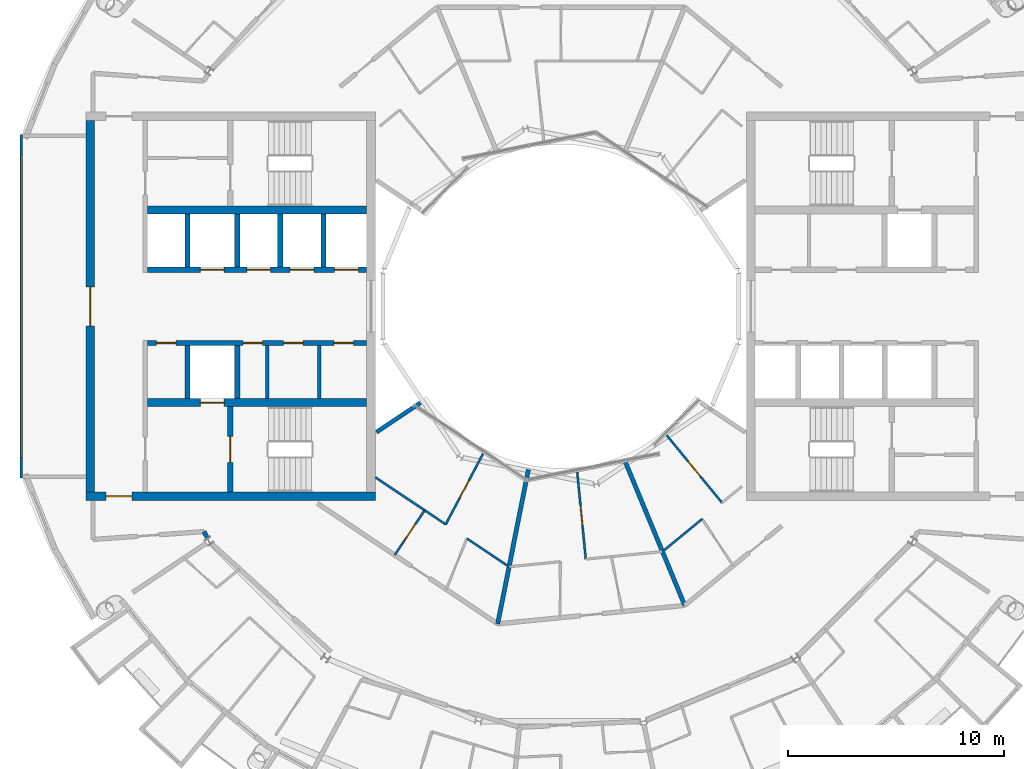
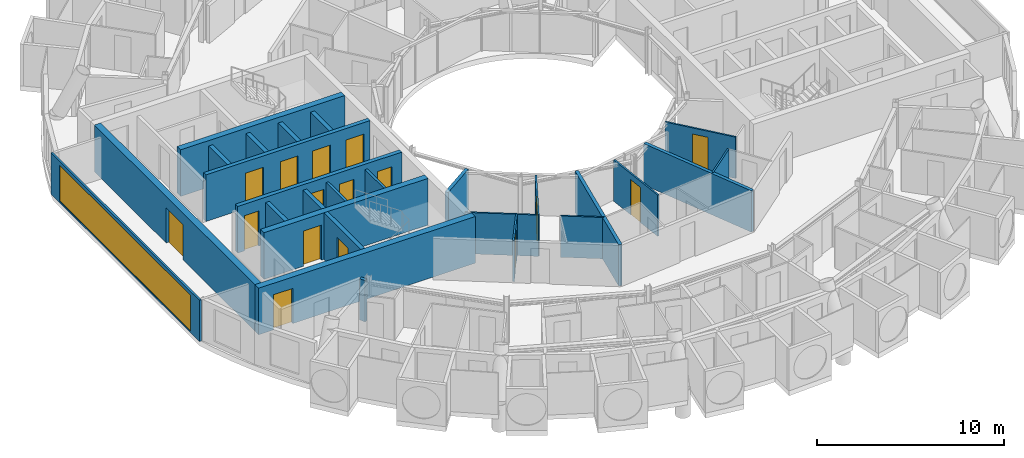
# One storey, part 16 of 27: 27 walls, 16 doors, 1 window, 17 openings.
"""IFC4 building model written with IfcOpenShell, lengths in metres."""

from ifc_helpers import new_model, si_unit, direction, frame, frame_2d, origin, place, context, subcontext, project, spatial, rectangle, extrude, material, layer, layer_set, type_object, element, fill, save


model = new_model("IFC4")

# Units and contexts
model_context = context("Model", 3, precision=1e-05, world=origin(), true_north=direction((0.0, 1.0)))
body_context = subcontext(model_context, "Body", "Model", "MODEL_VIEW")
ifc_project = project(units=[si_unit("LENGTHUNIT", "METRE"), si_unit("AREAUNIT", "SQUARE_METRE"), si_unit("VOLUMEUNIT", "CUBIC_METRE"), si_unit("PLANEANGLEUNIT", "RADIAN"), si_unit("MASSUNIT", "GRAM", prefix="KILO")], contexts=[model_context])

# Site, building, storey
site_placement = place(None, origin())
site = spatial("IfcSite", under=ifc_project, at=site_placement, CompositionType="ELEMENT")
building_placement = place(site_placement, origin())
building = spatial("IfcBuilding", under=site, at=building_placement, Name="Maasbend Ring Residences", CompositionType="ELEMENT")
storey_placement = place(building_placement, frame((0.0, 0.0, 243.199951171875)))
storey = spatial("IfcBuildingStorey", under=building, at=storey_placement, Name="L70", CompositionType="ELEMENT", Elevation=243.199951171875)

# Wall, openings, doors
ifc_material_1 = material(Name="Concrete C50/60", Category="concrete")
ifc_layer_1 = layer(ifc_material_1, 0.25)
ifc_layer_set_1 = layer_set([ifc_layer_1], Name="Concrete C50/60")
wall_type_1 = type_object("IfcWallType", Name="CORE WALL 250 C50/60", PredefinedType="SHEAR", material=ifc_layer_set_1)
wall_1_placement = place(storey_placement, frame((-9.0, -1.699951171875, 0.0), z_axis=(0.0, 0.0, 1.0), x_axis=(-1.0, 0.0, 0.0)))
wall_1 = element("IfcWall", 1, at=wall_1_placement, inside=storey, type_object=wall_type_1, Name="L70 core W wall SPN", PredefinedType="SHEAR", context=body_context, shape_type="SweptSolid", body=[
    extrude(rectangle(XDim=10.14990234375, YDim=0.25, at=frame_2d((5.074951171875, 0.0))), origin(), (0.0, 0.0, 1.0), 3.050048828125),
])
opening_1_placement = place(wall_1_placement, frame((0.612548828125, 0.0, 0.0)))
opening_1 = element("IfcOpeningElement", 2, at=opening_1_placement, cuts=wall_1, Name="Opening D-W7006", PredefinedType="OPENING", context=body_context, shape_type="SweptSolid", body=[
    extrude(rectangle(XDim=0.89990234375, YDim=2.300048828125, at=frame_2d((0.449951171875, 1.14990234375))), frame((0.0, 0.135009765625, 0.0), z_axis=(0.0, -1.0, 0.0), x_axis=(1.0, 0.0, 0.0)), (0.0, 0.0, 1.0), 0.27001953125),
])
opening_2_placement = place(wall_1_placement, frame((2.949951171875, 0.0, 0.0)))
opening_2 = element("IfcOpeningElement", 3, at=opening_2_placement, cuts=wall_1, Name="Opening D-W7007", PredefinedType="OPENING", context=body_context, shape_type="SweptSolid", body=[
    extrude(rectangle(XDim=0.89990234375, YDim=2.300048828125, at=frame_2d((0.449951171875, 1.14990234375))), frame((0.0, 0.135009765625, 0.0), z_axis=(0.0, -1.0, 0.0), x_axis=(1.0, 0.0, 0.0)), (0.0, 0.0, 1.0), 0.27001953125),
])
opening_3_placement = place(wall_1_placement, frame((4.824951171875, 0.0, 0.0)))
opening_3 = element("IfcOpeningElement", 4, at=opening_3_placement, cuts=wall_1, Name="Opening D-W7008", PredefinedType="OPENING", context=body_context, shape_type="SweptSolid", body=[
    extrude(rectangle(XDim=0.89990234375, YDim=2.300048828125, at=frame_2d((0.449951171875, 1.14990234375))), frame((0.0, 0.135009765625, 0.0), z_axis=(0.0, -1.0, 0.0), x_axis=(1.0, 0.0, 0.0)), (0.0, 0.0, 1.0), 0.27001953125),
])
opening_4_placement = place(wall_1_placement, frame((8.83740234375, 0.0, 0.0)))
opening_4 = element("IfcOpeningElement", 5, at=opening_4_placement, cuts=wall_1, Name="Opening D-W7009", PredefinedType="OPENING", context=body_context, shape_type="SweptSolid", body=[
    extrude(rectangle(XDim=0.89990234375, YDim=2.300048828125, at=frame_2d((0.449951171875, 1.14990234375))), frame((0.0, 0.135009765625, 0.0), z_axis=(0.0, -1.0, 0.0), x_axis=(1.0, 0.0, 0.0)), (0.0, 0.0, 1.0), 0.27001953125),
])
ifc_material_2 = material(Name="Steel, powder coated", Category="steel")
door_type_1 = type_object("IfcDoorType", Name="ROOM DOOR 900 X 2300 FD30S", OperationType="NOTDEFINED", PredefinedType="DOOR", material=ifc_material_2)
door_1_placement = place(opening_1_placement, origin())
door_1 = element("IfcDoor", 6, at=door_1_placement, inside=storey, type_object=door_type_1, Name="Room door L70", OperationType="SINGLE_SWING_RIGHT", OverallHeight=2.300048828125, OverallWidth=0.89990234375, PredefinedType="DOOR", context=body_context, shape_type="SweptSolid", body=[
    extrude(rectangle(XDim=0.89990234375, YDim=2.300048828125, at=frame_2d((0.449951171875, 1.14990234375))), frame((0.0, 0.02490234375, 0.0), z_axis=(0.0, -1.0, 0.0), x_axis=(1.0, 0.0, 0.0)), (0.0, 0.0, 1.0), 0.050048828125),
])
fill(opening_1, door_1)
door_2_placement = place(opening_2_placement, origin())
door_2 = element("IfcDoor", 7, at=door_2_placement, inside=storey, type_object=door_type_1, Name="Room door L70", OperationType="SINGLE_SWING_RIGHT", OverallHeight=2.300048828125, OverallWidth=0.89990234375, PredefinedType="DOOR", context=body_context, shape_type="SweptSolid", body=[
    extrude(rectangle(XDim=0.89990234375, YDim=2.300048828125, at=frame_2d((0.449951171875, 1.14990234375))), frame((0.0, 0.02490234375, 0.0), z_axis=(0.0, -1.0, 0.0), x_axis=(1.0, 0.0, 0.0)), (0.0, 0.0, 1.0), 0.050048828125),
])
fill(opening_2, door_2)
door_3_placement = place(opening_3_placement, origin())
door_3 = element("IfcDoor", 8, at=door_3_placement, inside=storey, type_object=door_type_1, Name="Room door L70", OperationType="SINGLE_SWING_LEFT", OverallHeight=2.300048828125, OverallWidth=0.89990234375, PredefinedType="DOOR", context=body_context, shape_type="SweptSolid", body=[
    extrude(rectangle(XDim=0.89990234375, YDim=2.300048828125, at=frame_2d((0.449951171875, 1.14990234375))), frame((0.0, 0.02490234375, 0.0), z_axis=(0.0, -1.0, 0.0), x_axis=(1.0, 0.0, 0.0)), (0.0, 0.0, 1.0), 0.050048828125),
])
fill(opening_3, door_3)
door_4_placement = place(opening_4_placement, origin())
door_4 = element("IfcDoor", 9, at=door_4_placement, inside=storey, type_object=door_type_1, Name="Room door L70", OperationType="SINGLE_SWING_LEFT", OverallHeight=2.300048828125, OverallWidth=0.89990234375, PredefinedType="DOOR", context=body_context, shape_type="SweptSolid", body=[
    extrude(rectangle(XDim=0.89990234375, YDim=2.300048828125, at=frame_2d((0.449951171875, 1.14990234375))), frame((0.0, 0.02490234375, 0.0), z_axis=(0.0, -1.0, 0.0), x_axis=(1.0, 0.0, 0.0)), (0.0, 0.0, 1.0), 0.050048828125),
])
fill(opening_4, door_4)

# Wall, opening, door
wall_2_placement = place(storey_placement, frame((-15.324951171875, -4.64990234375, 0.0), z_axis=(0.0, 0.0, 1.0), x_axis=(0.0, -1.0, 0.0)))
wall_2 = element("IfcWall", 10, at=wall_2_placement, inside=storey, type_object=wall_type_1, Name="L70 core W wall STEN", PredefinedType="SHEAR", context=body_context, shape_type="SweptSolid", body=[
    extrude(rectangle(XDim=3.9501953125, YDim=0.25, at=frame_2d((1.97509765625, 0.0))), origin(), (0.0, 0.0, 1.0), 3.050048828125),
])
opening_5_placement = place(wall_2_placement, frame((1.375, 0.0, 0.0)))
opening_5 = element("IfcOpeningElement", 11, at=opening_5_placement, cuts=wall_2, Name="Opening D-W7011", PredefinedType="OPENING", context=body_context, shape_type="SweptSolid", body=[
    extrude(rectangle(XDim=1.199951171875, YDim=2.300048828125, at=frame_2d((0.60009765625, 1.14990234375))), frame((0.0, 0.135009765625, 0.0), z_axis=(0.0, -1.0, 0.0), x_axis=(1.0, 0.0, 0.0)), (0.0, 0.0, 1.0), 0.27001953125),
])
ifc_material_3 = material(Name="Steel, powder coated", Category="steel")
door_type_2 = type_object("IfcDoorType", Name="STAIR DOOR 1200 X 2300 FD60", OperationType="NOTDEFINED", PredefinedType="DOOR", material=ifc_material_3)
door_5_placement = place(opening_5_placement, origin())
door_5 = element("IfcDoor", 12, at=door_5_placement, inside=storey, type_object=door_type_2, Name="Stair door ST-W L70", OperationType="SINGLE_SWING_LEFT", OverallHeight=2.300048828125, OverallWidth=1.199951171875, PredefinedType="DOOR", context=body_context, shape_type="SweptSolid", body=[
    extrude(rectangle(XDim=1.199951171875, YDim=2.300048828125, at=frame_2d((0.60009765625, 1.14990234375))), frame((0.0, 0.02490234375, 0.0), z_axis=(0.0, -1.0, 0.0), x_axis=(1.0, 0.0, 0.0)), (0.0, 0.0, 1.0), 0.050048828125),
])
fill(opening_5, door_5)

# Wall, openings, doors
wall_3_placement = place(storey_placement, frame((-9.0, 1.699951171875, 0.0), z_axis=(0.0, 0.0, 1.0), x_axis=(-1.0, 0.0, 0.0)))
wall_3 = element("IfcWall", 13, at=wall_3_placement, inside=storey, type_object=wall_type_1, Name="L70 core W wall SPS", PredefinedType="SHEAR", context=body_context, shape_type="SweptSolid", body=[
    extrude(rectangle(XDim=10.14990234375, YDim=0.25, at=frame_2d((5.074951171875, 0.0))), origin(), (0.0, 0.0, 1.0), 3.050048828125),
])
opening_6_placement = place(wall_3_placement, frame((0.387451171875, 0.0, 0.0)))
opening_6 = element("IfcOpeningElement", 14, at=opening_6_placement, cuts=wall_3, Name="Opening LD-W7002", PredefinedType="OPENING", context=body_context, shape_type="SweptSolid", body=[
    extrude(rectangle(XDim=1.10009765625, YDim=2.300048828125, at=frame_2d((0.550048828125, 1.14990234375))), frame((0.0, 0.135009765625, 0.0), z_axis=(0.0, -1.0, 0.0), x_axis=(1.0, 0.0, 0.0)), (0.0, 0.0, 1.0), 0.27001953125),
])
opening_7_placement = place(wall_3_placement, frame((2.449951171875, 0.0, 0.0)))
opening_7 = element("IfcOpeningElement", 15, at=opening_7_placement, cuts=wall_3, Name="Opening LD-W7003", PredefinedType="OPENING", context=body_context, shape_type="SweptSolid", body=[
    extrude(rectangle(XDim=1.10009765625, YDim=2.300048828125, at=frame_2d((0.550048828125, 1.14990234375))), frame((0.0, 0.135009765625, 0.0), z_axis=(0.0, -1.0, 0.0), x_axis=(1.0, 0.0, 0.0)), (0.0, 0.0, 1.0), 0.27001953125),
])
opening_8_placement = place(wall_3_placement, frame((4.449951171875, 0.0, 0.0)))
opening_8 = element("IfcOpeningElement", 16, at=opening_8_placement, cuts=wall_3, Name="Opening LD-W7004", PredefinedType="OPENING", context=body_context, shape_type="SweptSolid", body=[
    extrude(rectangle(XDim=1.10009765625, YDim=2.300048828125, at=frame_2d((0.550048828125, 1.14990234375))), frame((0.0, 0.135009765625, 0.0), z_axis=(0.0, -1.0, 0.0), x_axis=(1.0, 0.0, 0.0)), (0.0, 0.0, 1.0), 0.27001953125),
])
opening_9_placement = place(wall_3_placement, frame((6.60009765625, 0.0, 0.0)))
opening_9 = element("IfcOpeningElement", 17, at=opening_9_placement, cuts=wall_3, Name="Opening LD-W7005", PredefinedType="OPENING", context=body_context, shape_type="SweptSolid", body=[
    extrude(rectangle(XDim=1.10009765625, YDim=2.300048828125, at=frame_2d((0.550048828125, 1.14990234375))), frame((0.0, 0.135009765625, 0.0), z_axis=(0.0, -1.0, 0.0), x_axis=(1.0, 0.0, 0.0)), (0.0, 0.0, 1.0), 0.27001953125),
])
ifc_material_4 = material(Name="Stainless steel 316", Category="steel")
door_type_3 = type_object("IfcDoorType", Name="LANDING DOOR 1100 X 2300 FD60", OperationType="DOUBLE_DOOR_SLIDING", PredefinedType="DOOR", material=ifc_material_4)
door_6_placement = place(opening_6_placement, origin())
door_6 = element("IfcDoor", 18, at=door_6_placement, inside=storey, type_object=door_type_3, Name="Landing door HR-W1 L70", OperationType="DOUBLE_DOOR_SLIDING", OverallHeight=2.300048828125, OverallWidth=1.10009765625, PredefinedType="DOOR", context=body_context, shape_type="SweptSolid", body=[
    extrude(rectangle(XDim=1.10009765625, YDim=2.300048828125, at=frame_2d((0.550048828125, 1.14990234375))), frame((0.0, 0.02490234375, 0.0), z_axis=(0.0, -1.0, 0.0), x_axis=(1.0, 0.0, 0.0)), (0.0, 0.0, 1.0), 0.050048828125),
])
fill(opening_6, door_6)
door_7_placement = place(opening_7_placement, origin())
door_7 = element("IfcDoor", 19, at=door_7_placement, inside=storey, type_object=door_type_3, Name="Landing door HR-W2 L70", OperationType="DOUBLE_DOOR_SLIDING", OverallHeight=2.300048828125, OverallWidth=1.10009765625, PredefinedType="DOOR", context=body_context, shape_type="SweptSolid", body=[
    extrude(rectangle(XDim=1.10009765625, YDim=2.300048828125, at=frame_2d((0.550048828125, 1.14990234375))), frame((0.0, 0.02490234375, 0.0), z_axis=(0.0, -1.0, 0.0), x_axis=(1.0, 0.0, 0.0)), (0.0, 0.0, 1.0), 0.050048828125),
])
fill(opening_7, door_7)
door_8_placement = place(opening_8_placement, origin())
door_8 = element("IfcDoor", 20, at=door_8_placement, inside=storey, type_object=door_type_3, Name="Landing door HR-W3 L70", OperationType="DOUBLE_DOOR_SLIDING", OverallHeight=2.300048828125, OverallWidth=1.10009765625, PredefinedType="DOOR", context=body_context, shape_type="SweptSolid", body=[
    extrude(rectangle(XDim=1.10009765625, YDim=2.300048828125, at=frame_2d((0.550048828125, 1.14990234375))), frame((0.0, 0.02490234375, 0.0), z_axis=(0.0, -1.0, 0.0), x_axis=(1.0, 0.0, 0.0)), (0.0, 0.0, 1.0), 0.050048828125),
])
fill(opening_8, door_8)
door_9_placement = place(opening_9_placement, origin())
door_9 = element("IfcDoor", 21, at=door_9_placement, inside=storey, type_object=door_type_3, Name="Landing door SV-W L70", OperationType="DOUBLE_DOOR_SLIDING", OverallHeight=2.300048828125, OverallWidth=1.10009765625, PredefinedType="DOOR", context=body_context, shape_type="SweptSolid", body=[
    extrude(rectangle(XDim=1.10009765625, YDim=2.300048828125, at=frame_2d((0.550048828125, 1.14990234375))), frame((0.0, 0.02490234375, 0.0), z_axis=(0.0, -1.0, 0.0), x_axis=(1.0, 0.0, 0.0)), (0.0, 0.0, 1.0), 0.050048828125),
])
fill(opening_9, door_9)

# Wall, opening, door
ifc_material_5 = material(Name="Concrete C50/60", Category="concrete")
ifc_layer_2 = layer(ifc_material_5, 0.375)
ifc_layer_set_2 = layer_set([ifc_layer_2], Name="Concrete C50/60")
wall_type_2 = type_object("IfcWallType", Name="CORE WALL 375 C50/60", PredefinedType="SHEAR", material=ifc_layer_set_2)
wall_4_placement = place(storey_placement, frame((-9.0, -4.46240234375, 0.0), z_axis=(0.0, 0.0, 1.0), x_axis=(-1.0, 0.0, 0.0)))
wall_4 = element("IfcWall", 22, at=wall_4_placement, inside=storey, type_object=wall_type_2, Name="L70 core W wall BN", PredefinedType="SHEAR", context=body_context, shape_type="SweptSolid", body=[
    extrude(rectangle(XDim=10.14990234375, YDim=0.375, at=frame_2d((5.074951171875, 0.0))), origin(), (0.0, 0.0, 1.0), 3.050048828125),
])
opening_10_placement = place(wall_4_placement, frame((6.60009765625, 0.0, 0.0)))
opening_10 = element("IfcOpeningElement", 23, at=opening_10_placement, cuts=wall_4, Name="Opening LD-W7001", PredefinedType="OPENING", context=body_context, shape_type="SweptSolid", body=[
    extrude(rectangle(XDim=1.10009765625, YDim=2.300048828125, at=frame_2d((0.550048828125, 1.14990234375))), frame((0.0, 0.197509765625, 0.0), z_axis=(0.0, -1.0, 0.0), x_axis=(1.0, 0.0, 0.0)), (0.0, 0.0, 1.0), 0.39501953125),
])
door_10_placement = place(opening_10_placement, origin())
door_10 = element("IfcDoor", 24, at=door_10_placement, inside=storey, type_object=door_type_3, Name="Landing door FF-W L70", OperationType="DOUBLE_DOOR_SLIDING", OverallHeight=2.300048828125, OverallWidth=1.10009765625, PredefinedType="DOOR", context=body_context, shape_type="SweptSolid", body=[
    extrude(rectangle(XDim=1.10009765625, YDim=2.300048828125, at=frame_2d((0.550048828125, 1.14990234375))), frame((0.0, 0.02490234375, 0.0), z_axis=(0.0, -1.0, 0.0), x_axis=(1.0, 0.0, 0.0)), (0.0, 0.0, 1.0), 0.050048828125),
])
fill(opening_10, door_10)

# Wall
wall_5_placement = place(storey_placement, frame((-9.0, 4.46240234375, 0.0), z_axis=(0.0, 0.0, 1.0), x_axis=(-1.0, 0.0, 0.0)))
element("IfcWall", 25, at=wall_5_placement, inside=storey, type_object=wall_type_2, Name="L70 core W wall BS", PredefinedType="SHEAR", context=body_context, shape_type="SweptSolid", body=[
    extrude(rectangle(XDim=10.14990234375, YDim=0.375, at=frame_2d((5.074951171875, 0.0))), origin(), (0.0, 0.0, 1.0), 3.050048828125),
])

# Wall, opening, door
ifc_material_6 = material(Name="Concrete C50/60", Category="concrete")
ifc_layer_3 = layer(ifc_material_6, 0.39990234375)
ifc_layer_set_3 = layer_set([ifc_layer_3], Name="Concrete C50/60")
wall_type_3 = type_object("IfcWallType", Name="CORE WALL 400 C50/60", PredefinedType="SHEAR", material=ifc_layer_set_3)
wall_6_placement = place(storey_placement, frame((-22.0, -8.800048828125, 0.0), z_axis=(0.0, 0.0, 1.0), x_axis=(1.0, 0.0, 0.0)))
wall_6 = element("IfcWall", 26, at=wall_6_placement, inside=storey, type_object=wall_type_3, Name="L70 core W wall PN", PredefinedType="SHEAR", context=body_context, shape_type="SweptSolid", body=[
    extrude(rectangle(XDim=13.39990234375, YDim=0.39990234375, at=frame_2d((6.699951171875, 0.0))), origin(), (0.0, 0.0, 1.0), 3.050048828125),
])
opening_11_placement = place(wall_6_placement, frame((0.925048828125, 0.0, 0.0)))
opening_11 = element("IfcOpeningElement", 27, at=opening_11_placement, cuts=wall_6, Name="Opening D-W7015", PredefinedType="OPENING", context=body_context, shape_type="SweptSolid", body=[
    extrude(rectangle(XDim=1.199951171875, YDim=2.300048828125, at=frame_2d((0.60009765625, 1.14990234375))), frame((0.0, 0.2099609375, 0.0), z_axis=(0.0, -1.0, 0.0), x_axis=(1.0, 0.0, 0.0)), (0.0, 0.0, 1.0), 0.419921875),
])
ifc_material_7 = material(Name="Steel, powder coated", Category="steel")
door_type_4 = type_object("IfcDoorType", Name="CORRIDOR DOOR 1200 X 2300 FD30S", OperationType="NOTDEFINED", PredefinedType="DOOR", material=ifc_material_7)
door_11_placement = place(opening_11_placement, origin())
door_11 = element("IfcDoor", 28, at=door_11_placement, inside=storey, type_object=door_type_4, Name="Corridor door L70", OperationType="SINGLE_SWING_RIGHT", OverallHeight=2.300048828125, OverallWidth=1.199951171875, PredefinedType="DOOR", context=body_context, shape_type="SweptSolid", body=[
    extrude(rectangle(XDim=1.199951171875, YDim=2.300048828125, at=frame_2d((0.60009765625, 1.14990234375))), frame((0.0, 0.02490234375, 0.0), z_axis=(0.0, -1.0, 0.0), x_axis=(1.0, 0.0, 0.0)), (0.0, 0.0, 1.0), 0.050048828125),
])
fill(opening_11, door_11)

wall_7_placement = place(storey_placement, frame((-21.800048828125, -8.60009765625, 0.0), z_axis=(0.0, 0.0, 1.0), x_axis=(0.0, 1.0, 0.0)))
wall_7 = element("IfcWall", 29, at=wall_7_placement, inside=storey, type_object=wall_type_3, Name="L70 core W wall POUT", PredefinedType="SHEAR", context=body_context, shape_type="SweptSolid", body=[
    extrude(rectangle(XDim=17.2001953125, YDim=0.39990234375, at=frame_2d((8.60009765625, 0.0))), origin(), (0.0, 0.0, 1.0), 3.050048828125),
])
opening_12_placement = place(wall_7_placement, frame((7.699951171875, 0.0, 0.0)))
opening_12 = element("IfcOpeningElement", 30, at=opening_12_placement, cuts=wall_7, Name="Opening D-W7017", PredefinedType="OPENING", context=body_context, shape_type="SweptSolid", body=[
    extrude(rectangle(XDim=1.800048828125, YDim=2.300048828125, at=frame_2d((0.89990234375, 1.14990234375))), frame((0.0, 0.2099609375, 0.0), z_axis=(0.0, -1.0, 0.0), x_axis=(1.0, 0.0, 0.0)), (0.0, 0.0, 1.0), 0.419921875),
])
ifc_material_8 = material(Name="Aluminium frame, clear glass", Category="aluminium")
door_type_5 = type_object("IfcDoorType", Name="ENTRANCE DOOR 1800 X 2300 FD60", OperationType="NOTDEFINED", PredefinedType="DOOR", material=ifc_material_8)
door_12_placement = place(opening_12_placement, origin())
door_12 = element("IfcDoor", 31, at=door_12_placement, inside=storey, type_object=door_type_5, Name="Lobby glazed door L70", OperationType="SINGLE_SWING_LEFT", OverallHeight=2.300048828125, OverallWidth=1.800048828125, PredefinedType="DOOR", context=body_context, shape_type="SweptSolid", body=[
    extrude(rectangle(XDim=1.800048828125, YDim=2.300048828125, at=frame_2d((0.89990234375, 1.14990234375))), frame((0.0, 0.02490234375, 0.0), z_axis=(0.0, -1.0, 0.0), x_axis=(1.0, 0.0, 0.0)), (0.0, 0.0, 1.0), 0.050048828125),
])
fill(opening_12, door_12)

# Wall
ifc_material_9 = material(Name="Concrete C30/37", Category="concrete")
ifc_layer_4 = layer(ifc_material_9, 0.199951171875)
ifc_layer_set_4 = layer_set([ifc_layer_4], Name="Concrete C30/37")
wall_type_4 = type_object("IfcWallType", Name="CORRIDOR WALL 200 CONCRETE", PredefinedType="PARTITIONING", material=ifc_layer_set_4)
wall_8_placement = place(storey_placement, frame((-16.534912109375, -10.43701171875, 0.0), z_axis=(0.0, 0.0, 1.0), x_axis=(0.465802239822, -0.884888848035, 0.0)))
element("IfcWall", 32, at=wall_8_placement, inside=storey, type_object=wall_type_4, Name="U-L70-w013", PredefinedType="PARTITIONING", context=body_context, shape_type="SweptSolid", body=[
    extrude(rectangle(XDim=0.360595703125, YDim=0.199951171875, at=frame_2d((0.18017578125, 0.0))), origin(), (0.0, 0.0, 1.0), 2.699951171875),
])

# Wall, opening, window
ifc_material_10 = material(Name="Aluminium frame and clear glass", Category="aluminium")
ifc_layer_5 = layer(ifc_material_10, 0.1201171875)
ifc_layer_set_5 = layer_set([ifc_layer_5], Name="GLAZED SCREEN WALL 120 EI 60")
wall_type_5 = type_object("IfcWallType", Name="GLAZED SCREEN WALL 120 EI 60", PredefinedType="PARTITIONING", material=ifc_layer_set_5)
wall_9_placement = place(storey_placement, frame((-25.0, 7.949951171875, 0.0), z_axis=(0.0, 0.0, 1.0), x_axis=(0.0, -1.0, 0.0)))
wall_9 = element("IfcWall", 33, at=wall_9_placement, inside=storey, type_object=wall_type_5, Name="L70 core W wall FACE", PredefinedType="PARTITIONING", context=body_context, shape_type="SweptSolid", body=[
    extrude(rectangle(XDim=15.89990234375, YDim=0.1201171875, at=frame_2d((7.949951171875, 0.0))), origin(), (0.0, 0.0, 1.0), 2.699951171875),
])
opening_13_placement = place(wall_9_placement, frame((0.949951171875, 0.0, 0.10009765625)))
opening_13 = element("IfcOpeningElement", 34, at=opening_13_placement, cuts=wall_9, Name="Opening W-W7002", PredefinedType="OPENING", context=body_context, shape_type="SweptSolid", body=[
    extrude(rectangle(XDim=14.0, YDim=2.35009765625, at=frame_2d((7.0, 1.175048828125))), frame((0.0, 0.070068359375, 0.0), z_axis=(0.0, -1.0, 0.0), x_axis=(1.0, 0.0, 0.0)), (0.0, 0.0, 1.0), 0.14013671875),
])
ifc_material_11 = material(Name="Aluminium frame and clear glass", Category="aluminium")
window_type = type_object("IfcWindowType", Name="FIXED WINDOW 14000 X 2350", PartitioningType="SINGLE_PANEL", PredefinedType="WINDOW", material=ifc_material_11)
window_placement = place(opening_13_placement, origin())
window = element("IfcWindow", 35, at=window_placement, inside=storey, type_object=window_type, Name="Lobby window L70", OverallHeight=2.35009765625, OverallWidth=14.0, PartitioningType="SINGLE_PANEL", PredefinedType="WINDOW", context=body_context, shape_type="SweptSolid", body=[
    extrude(rectangle(XDim=14.0, YDim=2.35009765625, at=frame_2d((7.0, 1.175048828125))), frame((0.0, 0.030029296875, 0.0), z_axis=(0.0, -1.0, 0.0), x_axis=(1.0, 0.0, 0.0)), (0.0, 0.0, 1.0), 0.06005859375),
])
fill(opening_13, window)

# Walls
ifc_material_12 = material(Name="Gypsum board on steel studs", Category="steel")
ifc_layer_6 = layer(ifc_material_12, 0.10009765625)
ifc_layer_set_6 = layer_set([ifc_layer_6], Name="PARTITION 100 GYPSUM")
wall_type_6 = type_object("IfcWallType", Name="PARTITION 100 GYPSUM", PredefinedType="PARTITIONING", material=ifc_layer_set_6)
wall_10_placement = place(storey_placement, frame((4.70703125, -11.364013671875, 0.0), z_axis=(0.0, 0.0, 1.0), x_axis=(0.773033390712, 0.634365333893, 0.0)))
element("IfcWall", 36, at=wall_10_placement, inside=storey, type_object=wall_type_6, Name="U-L70-w025", PredefinedType="PARTITIONING", context=body_context, shape_type="SweptSolid", body=[
    extrude(rectangle(XDim=2.38037109375, YDim=0.10009765625, at=frame_2d((1.190185546875, 0.0))), origin(), (0.0, 0.0, 1.0), 2.699951171875),
])
wall_11_placement = place(storey_placement, frame((-8.60107421875, -7.919921875, 0.0), z_axis=(0.0, 0.0, 1.0), x_axis=(0.83141852367, -0.555646684953, 0.0)))
element("IfcWall", 37, at=wall_11_placement, inside=storey, type_object=wall_type_6, Name="U-L70-w027", PredefinedType="PARTITIONING", context=body_context, shape_type="SweptSolid", body=[
    extrude(rectangle(XDim=3.92724609375, YDim=0.10009765625, at=frame_2d((1.963623046875, 0.0))), origin(), (0.0, 0.0, 1.0), 2.699951171875),
])
wall_12_placement = place(storey_placement, frame((-4.35205078125, -10.759033203125, 0.0), z_axis=(0.0, 0.0, 1.0), x_axis=(0.8314910529, -0.555538143557, 0.0)))
element("IfcWall", 38, at=wall_12_placement, inside=storey, type_object=wall_type_6, Name="U-L70-w028", PredefinedType="PARTITIONING", context=body_context, shape_type="SweptSolid", body=[
    extrude(rectangle(XDim=2.3525390625, YDim=0.10009765625, at=frame_2d((1.17626953125, 0.0))), origin(), (0.0, 0.0, 1.0), 2.699951171875),
])

# Wall, opening, door
wall_13_placement = place(storey_placement, frame((-7.698974609375, -11.52294921875, 0.0), z_axis=(0.0, 0.0, 1.0), x_axis=(0.555625883274, 0.831432425297, 0.0)))
wall_13 = element("IfcWall", 39, at=wall_13_placement, inside=storey, type_object=wall_type_6, Name="U-L70-w048", PredefinedType="PARTITIONING", context=body_context, shape_type="SweptSolid", body=[
    extrude(rectangle(XDim=2.494384765625, YDim=0.10009765625, at=frame_2d((1.2470703125, 0.0))), origin(), (0.0, 0.0, 1.0), 2.699951171875),
])
opening_14_placement = place(wall_13_placement, frame((0.797119140625, 0.0, 0.0)))
opening_14 = element("IfcOpeningElement", 40, at=opening_14_placement, cuts=wall_13, Name="Opening D-7054", PredefinedType="OPENING", context=body_context, shape_type="SweptSolid", body=[
    extrude(rectangle(XDim=0.89990234375, YDim=2.300048828125, at=frame_2d((0.449951171875, 1.14990234375))), frame((0.0, 0.06005859375, 0.0), z_axis=(0.0, -1.0, 0.0), x_axis=(1.0, 0.0, 0.0)), (0.0, 0.0, 1.0), 0.1201171875),
])
ifc_material_13 = material(Name="Timber, painted", Category="wood")
door_type_6 = type_object("IfcDoorType", Name="INTERNAL DOOR 900 X 2300", OperationType="NOTDEFINED", PredefinedType="DOOR", material=ifc_material_13)
door_13_placement = place(opening_14_placement, origin())
door_13 = element("IfcDoor", 41, at=door_13_placement, inside=storey, type_object=door_type_6, Name="D-7054", OperationType="SINGLE_SWING_LEFT", OverallHeight=2.300048828125, OverallWidth=0.89990234375, PredefinedType="DOOR", context=body_context, shape_type="SweptSolid", body=[
    extrude(rectangle(XDim=0.89990234375, YDim=2.300048828125, at=frame_2d((0.449951171875, 1.14990234375))), frame((0.0, 0.02490234375, 0.0), z_axis=(0.0, -1.0, 0.0), x_axis=(1.0, 0.0, 0.0)), (0.0, 0.0, 1.0), 0.050048828125),
])
fill(opening_14, door_13)

wall_14_placement = place(storey_placement, frame((-5.3349609375, -10.10205078125, 0.0), z_axis=(0.0, 0.0, 1.0), x_axis=(0.467060750716, 0.88422522874, 0.0)))
wall_14 = element("IfcWall", 42, at=wall_14_placement, inside=storey, type_object=wall_type_6, Name="U-L70-w053", PredefinedType="PARTITIONING", context=body_context, shape_type="SweptSolid", body=[
    extrude(rectangle(XDim=3.703857421875, YDim=0.10009765625, at=frame_2d((1.85205078125, 0.0))), origin(), (0.0, 0.0, 1.0), 2.699951171875),
])
opening_15_placement = place(wall_14_placement, frame((1.402099609375, 0.0, 0.0)))
opening_15 = element("IfcOpeningElement", 43, at=opening_15_placement, cuts=wall_14, Name="Opening D-7055", PredefinedType="OPENING", context=body_context, shape_type="SweptSolid", body=[
    extrude(rectangle(XDim=0.89990234375, YDim=2.300048828125, at=frame_2d((0.449951171875, 1.14990234375))), frame((0.0, 0.06005859375, 0.0), z_axis=(0.0, -1.0, 0.0), x_axis=(1.0, 0.0, 0.0)), (0.0, 0.0, 1.0), 0.1201171875),
])
door_14_placement = place(opening_15_placement, origin())
door_14 = element("IfcDoor", 44, at=door_14_placement, inside=storey, type_object=door_type_6, Name="D-7055", OperationType="SINGLE_SWING_RIGHT", OverallHeight=2.300048828125, OverallWidth=0.89990234375, PredefinedType="DOOR", context=body_context, shape_type="SweptSolid", body=[
    extrude(rectangle(XDim=0.89990234375, YDim=2.300048828125, at=frame_2d((0.449951171875, 1.14990234375))), frame((0.0, 0.02490234375, 0.0), z_axis=(0.0, -1.0, 0.0), x_axis=(1.0, 0.0, 0.0)), (0.0, 0.0, 1.0), 0.050048828125),
])
fill(opening_15, door_14)

wall_15_placement = place(storey_placement, frame((0.757080078125, -7.68310546875, 0.0), z_axis=(0.0, 0.0, 1.0), x_axis=(0.098005705092, -0.995185852878, 0.0)))
wall_15 = element("IfcWall", 45, at=wall_15_placement, inside=storey, type_object=wall_type_6, Name="U-L70-w065", PredefinedType="PARTITIONING", context=body_context, shape_type="SweptSolid", body=[
    extrude(rectangle(XDim=4.050537109375, YDim=0.10009765625, at=frame_2d((2.025390625, 0.0))), origin(), (0.0, 0.0, 1.0), 2.699951171875),
])
opening_16_placement = place(wall_15_placement, frame((1.574951171875, 0.0, 0.0)))
opening_16 = element("IfcOpeningElement", 46, at=opening_16_placement, cuts=wall_15, Name="Opening D-7059", PredefinedType="OPENING", context=body_context, shape_type="SweptSolid", body=[
    extrude(rectangle(XDim=0.89990234375, YDim=2.300048828125, at=frame_2d((0.449951171875, 1.14990234375))), frame((0.0, 0.06005859375, 0.0), z_axis=(0.0, -1.0, 0.0), x_axis=(1.0, 0.0, 0.0)), (0.0, 0.0, 1.0), 0.1201171875),
])
door_15_placement = place(opening_16_placement, origin())
door_15 = element("IfcDoor", 47, at=door_15_placement, inside=storey, type_object=door_type_6, Name="D-7059", OperationType="SINGLE_SWING_RIGHT", OverallHeight=2.300048828125, OverallWidth=0.89990234375, PredefinedType="DOOR", context=body_context, shape_type="SweptSolid", body=[
    extrude(rectangle(XDim=0.89990234375, YDim=2.300048828125, at=frame_2d((0.449951171875, 1.14990234375))), frame((0.0, 0.02490234375, 0.0), z_axis=(0.0, -1.0, 0.0), x_axis=(1.0, 0.0, 0.0)), (0.0, 0.0, 1.0), 0.050048828125),
])
fill(opening_16, door_15)

wall_16_placement = place(storey_placement, frame((4.89697265625, -5.968994140625, 0.0), z_axis=(0.0, 0.0, 1.0), x_axis=(0.634313840507, -0.773075644256, 0.0)))
wall_16 = element("IfcWall", 48, at=wall_16_placement, inside=storey, type_object=wall_type_6, Name="U-L70-w073", PredefinedType="PARTITIONING", context=body_context, shape_type="SweptSolid", body=[
    extrude(rectangle(XDim=4.05029296875, YDim=0.10009765625, at=frame_2d((2.025146484375, 0.0))), origin(), (0.0, 0.0, 1.0), 2.699951171875),
])
opening_17_placement = place(wall_16_placement, frame((1.574951171875, 0.0, 0.0)))
opening_17 = element("IfcOpeningElement", 49, at=opening_17_placement, cuts=wall_16, Name="Opening D-7062", PredefinedType="OPENING", context=body_context, shape_type="SweptSolid", body=[
    extrude(rectangle(XDim=0.89990234375, YDim=2.300048828125, at=frame_2d((0.449951171875, 1.14990234375))), frame((0.0, 0.06005859375, 0.0), z_axis=(0.0, -1.0, 0.0), x_axis=(1.0, 0.0, 0.0)), (0.0, 0.0, 1.0), 0.1201171875),
])
door_16_placement = place(opening_17_placement, origin())
door_16 = element("IfcDoor", 50, at=door_16_placement, inside=storey, type_object=door_type_6, Name="D-7062", OperationType="SINGLE_SWING_LEFT", OverallHeight=2.300048828125, OverallWidth=0.89990234375, PredefinedType="DOOR", context=body_context, shape_type="SweptSolid", body=[
    extrude(rectangle(XDim=0.89990234375, YDim=2.300048828125, at=frame_2d((0.449951171875, 1.14990234375))), frame((0.0, 0.02490234375, 0.0), z_axis=(0.0, -1.0, 0.0), x_axis=(1.0, 0.0, 0.0)), (0.0, 0.0, 1.0), 0.050048828125),
])
fill(opening_17, door_16)

# Walls
ifc_material_14 = material(Name="Gypsum board on steel studs", Category="steel")
ifc_layer_7 = layer(ifc_material_14, 0.14990234375)
ifc_layer_set_7 = layer_set([ifc_layer_7], Name="PARTITION 150 EI 60")
wall_type_7 = type_object("IfcWallType", Name="PARTITION 150 EI 60", PredefinedType="PARTITIONING", material=ifc_layer_set_7)
for number, where, z_axis, x_axis, name in (
    (51, (-11.199951171875, -1.824951171875, 0.0), (0.0, 0.0, 1.0), (0.0, -1.0, 0.0), "L70 core W wall PRN1120"),
    (52, (-13.60009765625, -1.824951171875, 0.0), (0.0, 0.0, 1.0), (0.0, -1.0, 0.0), "L70 core W wall PRN1360"),
):
    element("IfcWall", number, at=place(storey_placement, frame(where, z_axis=z_axis, x_axis=x_axis)), inside=storey, type_object=wall_type_7, Name=name, PredefinedType="PARTITIONING", context=body_context, shape_type="SweptSolid", body=[
        extrude(rectangle(XDim=2.449951171875, YDim=0.14990234375, at=frame_2d((1.22509765625, 0.0))), origin(), (0.0, 0.0, 1.0), 2.699951171875),
    ])
ifc_material_15 = material(Name="Concrete C30/37", Category="concrete")
ifc_layer_8 = layer(ifc_material_15, 0.199951171875)
ifc_layer_set_8 = layer_set([ifc_layer_8], Name="Concrete C30/37")
wall_type_8 = type_object("IfcWallType", Name="PARTY WALL 200 CONCRETE", PredefinedType="PARTITIONING", material=ifc_layer_set_8)
wall_17_placement = place(storey_placement, frame((-6.512939453125, -4.471923828125, 0.0), z_axis=(0.0, 0.0, 1.0), x_axis=(-0.831450132577, -0.555599385382, 0.0)))
element("IfcWall", 53, at=wall_17_placement, inside=storey, type_object=wall_type_8, Name="U-L70-w031", PredefinedType="PARTITIONING", context=body_context, shape_type="SweptSolid", body=[
    extrude(rectangle(XDim=2.442626953125, YDim=0.199951171875, at=frame_2d((1.22119140625, 0.0))), origin(), (0.0, 0.0, 1.0), 2.699951171875),
])
wall_18_placement = place(storey_placement, frame((-2.927001953125, -14.7119140625, 0.0), z_axis=(0.0, 0.0, 1.0), x_axis=(0.195180900879, 0.980767258799, 0.0)))
element("IfcWall", 54, at=wall_18_placement, inside=storey, type_object=wall_type_8, Name="U-L70-w056", PredefinedType="PARTITIONING", context=body_context, shape_type="SweptSolid", body=[
    extrude(rectangle(XDim=7.27978515625, YDim=0.199951171875, at=frame_2d((3.639892578125, 0.0))), origin(), (0.0, 0.0, 1.0), 2.699951171875),
])
wall_19_placement = place(storey_placement, frame((2.9541015625, -7.132080078125, 0.0), z_axis=(0.0, 0.0, 1.0), x_axis=(0.38267858248, -0.923881541385, 0.0)))
element("IfcWall", 55, at=wall_19_placement, inside=storey, type_object=wall_type_8, Name="U-L70-w068", PredefinedType="PARTITIONING", context=body_context, shape_type="SweptSolid", body=[
    extrude(rectangle(XDim=7.280029296875, YDim=0.199951171875, at=frame_2d((3.64013671875, 0.0))), origin(), (0.0, 0.0, 1.0), 2.699951171875),
])
ifc_material_16 = material(Name="Concrete C30/37", Category="concrete")
ifc_layer_9 = layer(ifc_material_16, 0.25)
ifc_layer_set_9 = layer_set([ifc_layer_9], Name="Concrete C30/37")
wall_type_9 = type_object("IfcWallType", Name="SHAFT WALL 250 EI 120", PredefinedType="SOLIDWALL", material=ifc_layer_set_9)
for number, where, z_axis, x_axis, name in (
    (56, (-15.0, -1.824951171875, 0.0), (0.0, 0.0, 1.0), (0.0, -1.0, 0.0), "L70 core W wall D150N"),
    (57, (-17.300048828125, -1.824951171875, 0.0), (0.0, 0.0, 1.0), (0.0, -1.0, 0.0), "L70 core W wall D173N"),
    (58, (-15.0, 1.824951171875, 0.0), (0.0, 0.0, 1.0), (0.0, 1.0, 0.0), "L70 core W wall D150S"),
    (59, (-17.300048828125, 1.824951171875, 0.0), (0.0, 0.0, 1.0), (0.0, 1.0, 0.0), "L70 core W wall D173S"),
    (60, (-11.0, 1.824951171875, 0.0), (0.0, 0.0, 1.0), (0.0, 1.0, 0.0), "L70 core W wall D110S"),
    (61, (-13.0, 1.824951171875, 0.0), (0.0, 0.0, 1.0), (0.0, 1.0, 0.0), "L70 core W wall D130S"),
):
    element("IfcWall", number, at=place(storey_placement, frame(where, z_axis=z_axis, x_axis=x_axis)), inside=storey, type_object=wall_type_9, Name=name, PredefinedType="SOLIDWALL", context=body_context, shape_type="SweptSolid", body=[
        extrude(rectangle(XDim=2.449951171875, YDim=0.25, at=frame_2d((1.22509765625, 0.0))), origin(), (0.0, 0.0, 1.0), 2.699951171875),
    ])

save(model, "model.ifc")
